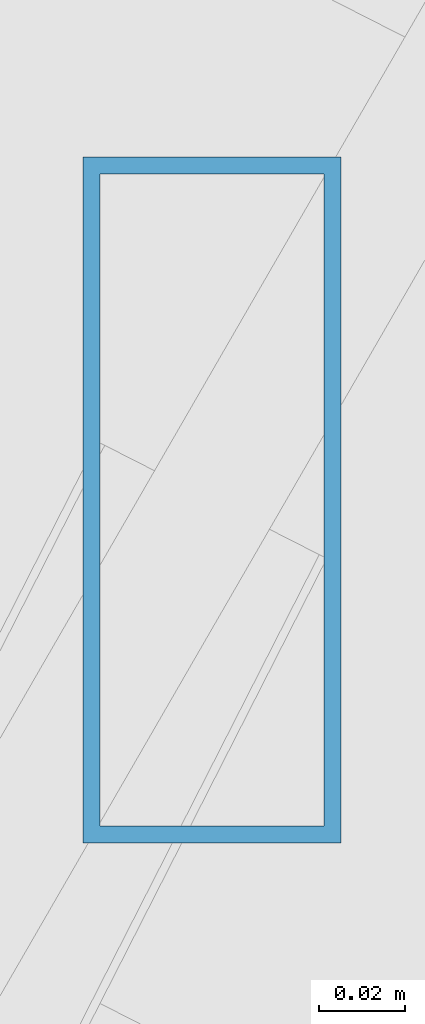
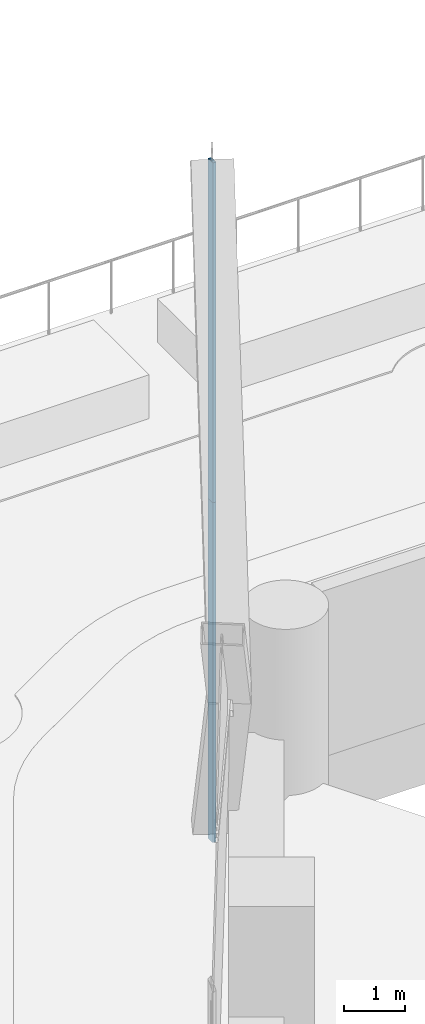
# One storey, part 41 of 71: 2 members, 1 element without a shape of its own.
"""IFC4 building model written with IfcOpenShell, lengths in metres."""

from ifc_helpers import new_model, si_unit, direction, frame, origin, origin_2d, place, context, subcontext, project, spatial, hollow_rectangle, extrude, material, material_profile, profile_set, type_object, element, aggregate, save


model = new_model("IFC4")

# Units and contexts
model_context = context("Model", 3, precision=1e-05, world=origin(), true_north=direction((0.0, 1.0)))
body_context = subcontext(model_context, "Body", "Model", "MODEL_VIEW")
ifc_project = project(units=[si_unit("LENGTHUNIT", "METRE"), si_unit("AREAUNIT", "SQUARE_METRE"), si_unit("VOLUMEUNIT", "CUBIC_METRE"), si_unit("PLANEANGLEUNIT", "RADIAN"), si_unit("MASSUNIT", "GRAM", prefix="KILO")], contexts=[model_context])

# Site, building, storey
site_placement = place(None, origin())
site = spatial("IfcSite", under=ifc_project, at=site_placement, CompositionType="ELEMENT")
building_placement = place(site_placement, origin())
building = spatial("IfcBuilding", under=site, at=building_placement, Name="Ostrander Bayou Hotel Tower", CompositionType="ELEMENT")
storey_placement = place(building_placement, frame((0.0, 0.0, 10.0)))
storey = spatial("IfcBuildingStorey", under=building, at=storey_placement, Name="L02", CompositionType="ELEMENT", Elevation=10.0)

# Curtain wall, members
ifc_material_1 = material(Name="Aluminium and clear glass", Category="aluminium")
curtain_wall_type = type_object("IfcCurtainWallType", Name="CW-LAT lattice glazing", PredefinedType="NOTDEFINED", material=ifc_material_1)
curtain_wall_placement = place(storey_placement, origin())
curtain_wall = element("IfcCurtainWall", 1, at=curtain_wall_placement, inside=storey, type_object=curtain_wall_type, Name="CW-LAT L02 NW 1", PredefinedType="NOTDEFINED")
ifc_material_2 = material(Name="Aluminium", Category="aluminium")
ifc_material_profile = material_profile(ifc_material_2, hollow_rectangle(XDim=0.06005859375, YDim=0.159912109375, WallThickness=0.00390625, at=origin_2d()))
ifc_profile_set = profile_set([ifc_material_profile], Name="Aluminium")
member_type = type_object("IfcMemberType", Name="CW-LA mullion 60 x 160 mm", PredefinedType="MULLION", material=ifc_profile_set)
member_1_placement = place(storey_placement, frame((-13.637939453125, 20.5185546875, -0.60009765625), z_axis=(0.0, 0.0, 1.0), x_axis=(1.0, 0.0, 0.0)))
member_1 = element("IfcMember", 2, at=member_1_placement, type_object=member_type, Name="CW-LAT mullion 1", PredefinedType="MULLION", context=body_context, shape_type="SweptSolid", body=[
    extrude(hollow_rectangle(XDim=0.06005859375, YDim=0.159912109375, WallThickness=0.00390625, at=origin_2d()), origin(), (0.0, 0.0, 1.0), 6.75),
])
member_2_placement = place(storey_placement, frame((-13.637939453125, 20.5185546875, 6.14990234375), z_axis=(0.0, 0.0, 1.0), x_axis=(1.0, 0.0, 0.0)))
member_2 = element("IfcMember", 3, at=member_2_placement, type_object=member_type, Name="CW-LAT mullion 2", PredefinedType="MULLION", context=body_context, shape_type="SweptSolid", body=[
    extrude(hollow_rectangle(XDim=0.06005859375, YDim=0.159912109375, WallThickness=0.00390625, at=origin_2d()), origin(), (0.0, 0.0, 1.0), 6.75),
])
aggregate(curtain_wall, [member_1, member_2])

save(model, "model.ifc")
